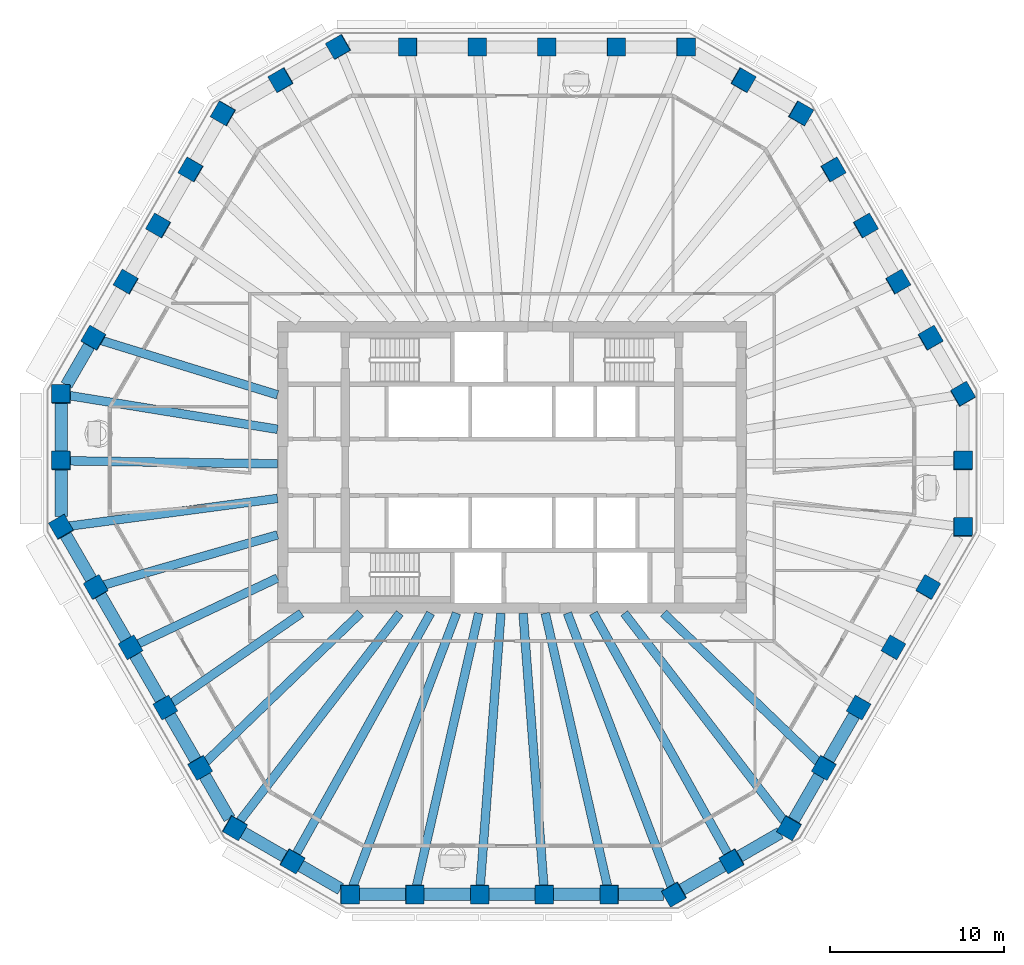
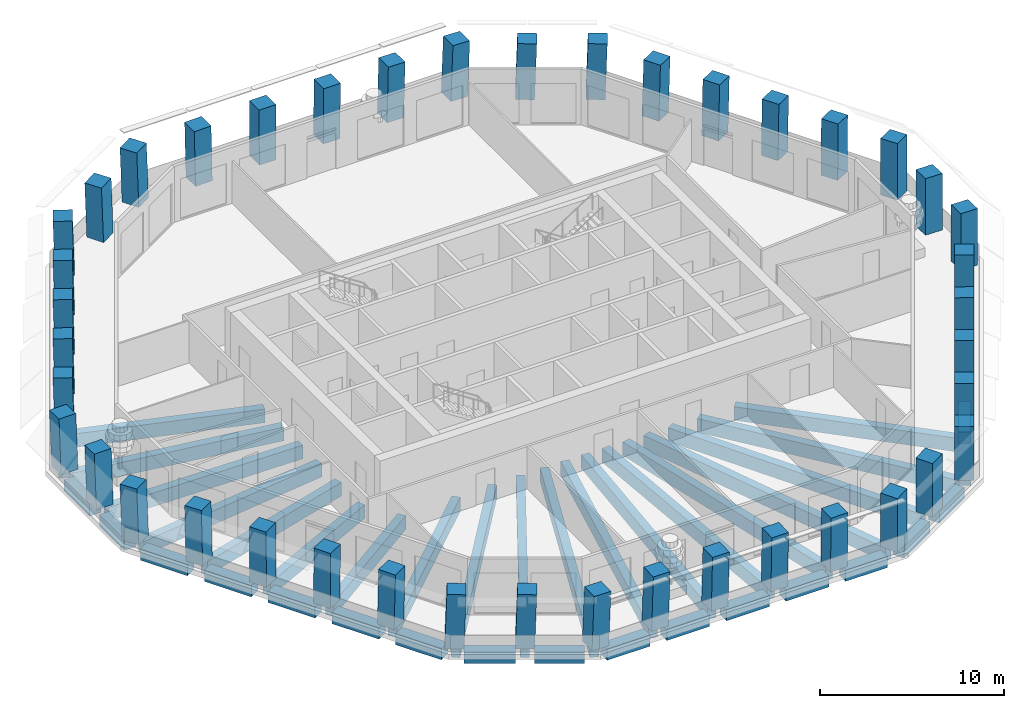
# One storey, part 1 of 12: 42 columns, 38 beams.
"""IFC4 building model written with IfcOpenShell, lengths in metres."""

from ifc_helpers import new_model, si_unit, direction, frame, origin, origin_2d, place, context, subcontext, project, spatial, rectangle, extrude, material, material_profile, profile_set, type_object, element, save


model = new_model("IFC4")

# Units and contexts
model_context = context("Model", 3, precision=1e-05, world=origin(), true_north=direction((0.0, 1.0)))
body_context = subcontext(model_context, "Body", "Model", "MODEL_VIEW")
ifc_project = project(units=[si_unit("LENGTHUNIT", "METRE"), si_unit("AREAUNIT", "SQUARE_METRE"), si_unit("VOLUMEUNIT", "CUBIC_METRE"), si_unit("PLANEANGLEUNIT", "RADIAN"), si_unit("MASSUNIT", "GRAM", prefix="KILO")], contexts=[model_context])

# Site, building, storey
site_placement = place(None, origin())
site = spatial("IfcSite", under=ifc_project, at=site_placement, CompositionType="ELEMENT")
building_placement = place(site_placement, origin())
building = spatial("IfcBuilding", under=site, at=building_placement, Name="Frailejon Research Tower", CompositionType="ELEMENT")
storey_placement = place(building_placement, frame((0.0, 0.0, 223.39990234375)))
storey = spatial("IfcBuildingStorey", under=building, at=storey_placement, Name="L48", CompositionType="ELEMENT", Elevation=223.39990234375)

# Columns
ifc_material_1 = material(Name="Concrete C60/75", Category="concrete")
ifc_material_profile_1 = material_profile(ifc_material_1, rectangle(XDim=1.050048828125, YDim=1.050048828125, at=origin_2d()), Name="Column 1050")
ifc_profile_set_1 = profile_set([ifc_material_profile_1], Name="Concrete C60/75")
column_type = type_object("IfcColumnType", Name="Column 1050", PredefinedType="COLUMN", material=ifc_profile_set_1)
for number, where, z_axis, x_axis, name in (
    (1, (25.9521484375, -3.44970703125, 0.0), (0.018113955825, 0.03141534774, 0.999342263957), (-0.001297337727, 0.999506151202, -0.031396984318), "Column C01"),
    (2, (25.9521484375, 0.377197265625, 0.0), (0.018113993821, 0.031348572332, 0.999344360189), (-0.000374711626, 0.999508494025, -0.031346929091), "Column C02"),
    (3, (25.9521484375, 4.203857421875, 0.0), (0.018113955825, 0.03141534774, 0.999342263957), (-0.501041071009, 0.865233837763, -0.018117702729), "Column C03"),
):
    element("IfcColumn", number, at=place(storey_placement, frame(where, z_axis=z_axis, x_axis=x_axis)), inside=storey, type_object=column_type, Name=name, PredefinedType="COLUMN", context=body_context, shape_type="SweptSolid", body=[
        extrude(rectangle(XDim=1.050048828125, YDim=1.050048828125, at=origin_2d()), origin(), (0.0, 0.0, 1.0), 3.652587890625),
    ])
column_1_placement = place(storey_placement, frame((24.0849609375, 7.437744140625, 0.0), z_axis=(0.021792492936, 0.025134899828, 0.999446508855), x_axis=(-0.499665392548, 0.866150076023, -0.010887667087)))
element("IfcColumn", 4, at=column_1_placement, inside=storey, type_object=column_type, Name="Column C04", PredefinedType="COLUMN", context=body_context, shape_type="SweptSolid", body=[
    extrude(rectangle(XDim=1.050048828125, YDim=1.050048828125, at=origin_2d()), origin(), (0.0, 0.0, 1.0), 3.652099609375),
])
for number, where, z_axis, x_axis, name in (
    (5, (22.218017578125, 10.671630859375, 0.0), (0.025403639223, 0.018852174371, 0.999499500068), (-0.500491739031, 0.865733791755, -0.003608458862), "Column C05"),
    (6, (20.350830078125, 13.905517578125, 0.0), (0.029013644583, 0.012568122538, 0.999500000362), (-0.499848973822, 0.866105020579, 0.003618935909), "Column C06"),
):
    element("IfcColumn", number, at=place(storey_placement, frame(where, z_axis=z_axis, x_axis=x_axis)), inside=storey, type_object=column_type, Name=name, PredefinedType="COLUMN", context=body_context, shape_type="SweptSolid", body=[
        extrude(rectangle(XDim=1.050048828125, YDim=1.050048828125, at=origin_2d()), origin(), (0.0, 0.0, 1.0), 3.65185546875),
    ])
column_2_placement = place(storey_placement, frame((18.48388671875, 17.139404296875, 0.0), z_axis=(0.032621940247, 0.006283734392, 0.999448009502), x_axis=(-0.500036322924, 0.865936123493, 0.010876846363)))
element("IfcColumn", 7, at=column_2_placement, inside=storey, type_object=column_type, Name="Column C07", PredefinedType="COLUMN", context=body_context, shape_type="SweptSolid", body=[
    extrude(rectangle(XDim=1.050048828125, YDim=1.050048828125, at=origin_2d()), origin(), (0.0, 0.0, 1.0), 3.652099609375),
])
for number, where, z_axis, x_axis, name in (
    (8, (16.61669921875, 20.373291015625, 0.0), (0.036227958345, 0.0, 0.999343552055), (-0.865314717209, 0.500246354177, 0.031369177763), "Column C08"),
    (9, (13.302734375, 22.28662109375, 0.0), (0.036227958345, 0.0, 0.999343552055), (-0.865314717209, 0.500246354177, 0.031369177763), "Column C09"),
    (10, (9.988525390625, 24.199951171875, 0.0), (0.036294711627, 0.0, 0.999341129899), (-0.999341129899, 0.0, 0.036294711627), "Column C10"),
):
    element("IfcColumn", number, at=place(storey_placement, frame(where, z_axis=z_axis, x_axis=x_axis)), inside=storey, type_object=column_type, Name=name, PredefinedType="COLUMN", context=body_context, shape_type="SweptSolid", body=[
        extrude(rectangle(XDim=1.050048828125, YDim=1.050048828125, at=origin_2d()), origin(), (0.0, 0.0, 1.0), 3.652587890625),
    ])
column_3_placement = place(storey_placement, frame((5.9931640625, 24.199951171875, 0.0), z_axis=(0.021799380047, 0.0, 0.99976236528), x_axis=(-0.99976236528, 0.0, 0.021799380047)))
element("IfcColumn", 11, at=column_3_placement, inside=storey, type_object=column_type, Name="Column C11", PredefinedType="COLUMN", context=body_context, shape_type="SweptSolid", body=[
    extrude(rectangle(XDim=1.050048828125, YDim=1.050048828125, at=origin_2d()), origin(), (0.0, 0.0, 1.0), 3.651123046875),
])
for number, where, z_axis, x_axis, name in (
    (12, (1.997802734375, 24.199951171875, 0.0), (0.007290288501, 0.0, 0.999973425494), (-0.999973425494, 0.0, 0.007290288501), "Column C12"),
    (13, (-1.997802734375, 24.199951171875, 0.0), (-0.007290288501, 0.0, 0.999973425494), (-0.999973425494, 0.0, -0.007290288501), "Column C13"),
):
    element("IfcColumn", number, at=place(storey_placement, frame(where, z_axis=z_axis, x_axis=x_axis)), inside=storey, type_object=column_type, Name=name, PredefinedType="COLUMN", context=body_context, shape_type="SweptSolid", body=[
        extrude(rectangle(XDim=1.050048828125, YDim=1.050048828125, at=origin_2d()), origin(), (0.0, 0.0, 1.0), 3.650146484375),
    ])
column_4_placement = place(storey_placement, frame((-5.9931640625, 24.199951171875, 0.0), z_axis=(-0.021799380047, 0.0, 0.99976236528), x_axis=(-0.99976236528, 0.0, -0.021799380047)))
element("IfcColumn", 14, at=column_4_placement, inside=storey, type_object=column_type, Name="Column C14", PredefinedType="COLUMN", context=body_context, shape_type="SweptSolid", body=[
    extrude(rectangle(XDim=1.050048828125, YDim=1.050048828125, at=origin_2d()), origin(), (0.0, 0.0, 1.0), 3.651123046875),
])
for number, where, z_axis, x_axis, name in (
    (15, (-9.988525390625, 24.199951171875, 0.0), (-0.036294711627, 0.0, 0.999341129899), (-0.865312619905, -0.500246354177, -0.031426978303), "Column C15"),
    (16, (-13.302734375, 22.28662109375, 0.0), (-0.036227958345, 0.0, 0.999343552055), (-0.865314717209, -0.500246354177, -0.031369177763), "Column C16"),
    (17, (-16.61669921875, 20.373291015625, 0.0), (-0.036227958345, 0.0, 0.999343552055), (-0.499425543129, -0.866167613071, -0.018105052798), "Column C17"),
):
    element("IfcColumn", number, at=place(storey_placement, frame(where, z_axis=z_axis, x_axis=x_axis)), inside=storey, type_object=column_type, Name=name, PredefinedType="COLUMN", context=body_context, shape_type="SweptSolid", body=[
        extrude(rectangle(XDim=1.050048828125, YDim=1.050048828125, at=origin_2d()), origin(), (0.0, 0.0, 1.0), 3.652587890625),
    ])
column_5_placement = place(storey_placement, frame((-18.48388671875, 17.139404296875, 0.0), z_axis=(-0.032621940247, 0.006283734392, 0.999448009502), x_axis=(-0.500036322924, -0.865936123493, -0.010876846363)))
element("IfcColumn", 18, at=column_5_placement, inside=storey, type_object=column_type, Name="Column C18", PredefinedType="COLUMN", context=body_context, shape_type="SweptSolid", body=[
    extrude(rectangle(XDim=1.050048828125, YDim=1.050048828125, at=origin_2d()), origin(), (0.0, 0.0, 1.0), 3.652099609375),
])
for number, where, z_axis, x_axis, name in (
    (19, (-20.350830078125, 13.905517578125, 0.0), (-0.029013644583, 0.012568122538, 0.999500000362), (-0.499848973822, -0.866105020579, -0.003618935909), "Column C19"),
    (20, (-22.218017578125, 10.671630859375, 0.0), (-0.025403639223, 0.018852174371, 0.999499500068), (-0.500491739031, -0.865733791755, 0.003608458862), "Column C20"),
):
    element("IfcColumn", number, at=place(storey_placement, frame(where, z_axis=z_axis, x_axis=x_axis)), inside=storey, type_object=column_type, Name=name, PredefinedType="COLUMN", context=body_context, shape_type="SweptSolid", body=[
        extrude(rectangle(XDim=1.050048828125, YDim=1.050048828125, at=origin_2d()), origin(), (0.0, 0.0, 1.0), 3.65185546875),
    ])
column_6_placement = place(storey_placement, frame((-24.0849609375, 7.437744140625, 0.0), z_axis=(-0.021792492936, 0.025134899828, 0.999446508855), x_axis=(-0.499665392548, -0.866150076023, 0.010887667087)))
element("IfcColumn", 21, at=column_6_placement, inside=storey, type_object=column_type, Name="Column C21", PredefinedType="COLUMN", context=body_context, shape_type="SweptSolid", body=[
    extrude(rectangle(XDim=1.050048828125, YDim=1.050048828125, at=origin_2d()), origin(), (0.0, 0.0, 1.0), 3.652099609375),
])
for number, where, z_axis, x_axis, name in (
    (22, (-25.9521484375, 4.203857421875, 0.0), (-0.018113955825, 0.03141534774, 0.999342263957), (-0.001297337727, -0.999506151202, 0.031396984318), "Column C22"),
    (23, (-25.9521484375, 0.377197265625, 0.0), (-0.018113993821, 0.031348572332, 0.999344360189), (-0.000374711626, -0.999508494025, 0.031346929091), "Column C23"),
    (24, (-25.9521484375, -3.44970703125, 0.0), (-0.018113955825, 0.03141534774, 0.999342263957), (0.499040514287, -0.865819568771, 0.036263472456), "Column C24"),
):
    element("IfcColumn", number, at=place(storey_placement, frame(where, z_axis=z_axis, x_axis=x_axis)), inside=storey, type_object=column_type, Name=name, PredefinedType="COLUMN", context=body_context, shape_type="SweptSolid", body=[
        extrude(rectangle(XDim=1.050048828125, YDim=1.050048828125, at=origin_2d()), origin(), (0.0, 0.0, 1.0), 3.652587890625),
    ])
column_7_placement = place(storey_placement, frame((-23.954345703125, -6.909912109375, 0.0), z_axis=(-0.010899680715, 0.018923985535, 0.999761511427), x_axis=(0.499758931252, -0.865889190801, 0.021838495538)))
element("IfcColumn", 25, at=column_7_placement, inside=storey, type_object=column_type, Name="Column C25", PredefinedType="COLUMN", context=body_context, shape_type="SweptSolid", body=[
    extrude(rectangle(XDim=1.050048828125, YDim=1.050048828125, at=origin_2d()), origin(), (0.0, 0.0, 1.0), 3.651123046875),
])
for number, where, z_axis, x_axis, name in (
    (26, (-21.956787109375, -10.369873046875, 0.0), (-0.003611703602, 0.006287039604, 0.99997371402), (0.497890396548, -0.867209652713, 0.007250604559), "Column C26"),
    (27, (-19.958984375, -13.830078125, 0.0), (0.003611703602, -0.006287039604, 0.99997371402), (0.495302948825, -0.868690058747, -0.007250566836), "Column C27"),
):
    element("IfcColumn", number, at=place(storey_placement, frame(where, z_axis=z_axis, x_axis=x_axis)), inside=storey, type_object=column_type, Name=name, PredefinedType="COLUMN", context=body_context, shape_type="SweptSolid", body=[
        extrude(rectangle(XDim=1.050048828125, YDim=1.050048828125, at=origin_2d()), origin(), (0.0, 0.0, 1.0), 3.650146484375),
    ])
column_8_placement = place(storey_placement, frame((-17.961181640625, -17.290283203125, 0.0), z_axis=(0.010899694483, -0.018857140148, 0.999762774325), x_axis=(0.501085789903, -0.865123480471, -0.021780603655)))
element("IfcColumn", 28, at=column_8_placement, inside=storey, type_object=column_type, Name="Column C28", PredefinedType="COLUMN", context=body_context, shape_type="SweptSolid", body=[
    extrude(rectangle(XDim=1.050048828125, YDim=1.050048828125, at=origin_2d()), origin(), (0.0, 0.0, 1.0), 3.651123046875),
])
for number, where, z_axis, x_axis, name in (
    (29, (-15.96337890625, -20.75048828125, 0.0), (0.018113993821, -0.031348572332, 0.999344360189), (0.865981255469, -0.499092645249, -0.031352777129), "Column C29"),
    (30, (-12.6494140625, -22.663818359375, 0.0), (0.018113955825, -0.03141534774, 0.999342263957), (0.86551973078, -0.499889444942, -0.031402841694), "Column C30"),
    (31, (-9.33544921875, -24.5771484375, 0.0), (0.018113955825, -0.03141534774, 0.999342263957), (0.999835920175, 0.000437543569, -0.018109149147), "Column C31"),
):
    element("IfcColumn", number, at=place(storey_placement, frame(where, z_axis=z_axis, x_axis=x_axis)), inside=storey, type_object=column_type, Name=name, PredefinedType="COLUMN", context=body_context, shape_type="SweptSolid", body=[
        extrude(rectangle(XDim=1.050048828125, YDim=1.050048828125, at=origin_2d()), origin(), (0.0, 0.0, 1.0), 3.652587890625),
    ])
column_9_placement = place(storey_placement, frame((-5.601318359375, -24.5771484375, 0.0), z_axis=(0.010896250923, -0.031418637632, 0.999446917512), x_axis=(0.999940633121, 0.000298237576, -0.010892258146)))
element("IfcColumn", 32, at=column_9_placement, inside=storey, type_object=column_type, Name="Column C32", PredefinedType="COLUMN", context=body_context, shape_type="SweptSolid", body=[
    extrude(rectangle(XDim=1.050048828125, YDim=1.050048828125, at=origin_2d()), origin(), (0.0, 0.0, 1.0), 3.652099609375),
])
for number, where, z_axis, x_axis, name in (
    (33, (-1.8671875, -24.5771484375, 0.0), (0.003609991708, -0.031420298201, 0.999499741281), (0.999993380446, -0.000341349484, -0.003622505304), "Column C33"),
    (34, (1.8671875, -24.5771484375, 0.0), (-0.003609991708, -0.031420298201, 0.999499741281), (0.999993380446, 0.000341349484, 0.003622505304), "Column C34"),
):
    element("IfcColumn", number, at=place(storey_placement, frame(where, z_axis=z_axis, x_axis=x_axis)), inside=storey, type_object=column_type, Name=name, PredefinedType="COLUMN", context=body_context, shape_type="SweptSolid", body=[
        extrude(rectangle(XDim=1.050048828125, YDim=1.050048828125, at=origin_2d()), origin(), (0.0, 0.0, 1.0), 3.65185546875),
    ])
column_10_placement = place(storey_placement, frame((5.601318359375, -24.5771484375, 0.0), z_axis=(-0.010896250923, -0.031418637632, 0.999446917512), x_axis=(0.999940633121, -0.000298237576, 0.010892258146)))
element("IfcColumn", 35, at=column_10_placement, inside=storey, type_object=column_type, Name="Column C35", PredefinedType="COLUMN", context=body_context, shape_type="SweptSolid", body=[
    extrude(rectangle(XDim=1.050048828125, YDim=1.050048828125, at=origin_2d()), origin(), (0.0, 0.0, 1.0), 3.652099609375),
])
for number, where, z_axis, x_axis, name in (
    (36, (9.33544921875, -24.5771484375, 0.0), (-0.018113955825, -0.03141534774, 0.999342263957), (0.865818354489, 0.499372725209, 0.031392010897), "Column C36"),
    (37, (12.6494140625, -22.663818359375, 0.0), (-0.018113955825, -0.03141534774, 0.999342263957), (0.86551973078, 0.499889444942, 0.031402841694), "Column C37"),
    (38, (15.96337890625, -20.75048828125, 0.0), (-0.018113993821, -0.031348572332, 0.999344360189), (0.499839786235, 0.86536081398, 0.03620565874), "Column C38"),
):
    element("IfcColumn", number, at=place(storey_placement, frame(where, z_axis=z_axis, x_axis=x_axis)), inside=storey, type_object=column_type, Name=name, PredefinedType="COLUMN", context=body_context, shape_type="SweptSolid", body=[
        extrude(rectangle(XDim=1.050048828125, YDim=1.050048828125, at=origin_2d()), origin(), (0.0, 0.0, 1.0), 3.652587890625),
    ])
column_11_placement = place(storey_placement, frame((17.961181640625, -17.290283203125, 0.0), z_axis=(-0.010899694483, -0.018857140148, 0.999762774325), x_axis=(0.501085789903, 0.865123480471, 0.021780603655)))
element("IfcColumn", 39, at=column_11_placement, inside=storey, type_object=column_type, Name="Column C39", PredefinedType="COLUMN", context=body_context, shape_type="SweptSolid", body=[
    extrude(rectangle(XDim=1.050048828125, YDim=1.050048828125, at=origin_2d()), origin(), (0.0, 0.0, 1.0), 3.651123046875),
])
for number, where, z_axis, x_axis, name in (
    (40, (19.958984375, -13.830078125, 0.0), (-0.003611703602, -0.006287039604, 0.99997371402), (0.495302948825, 0.868690058747, 0.007250566836), "Column C40"),
    (41, (21.956787109375, -10.369873046875, 0.0), (0.003611703602, 0.006287039604, 0.99997371402), (0.497890396548, 0.867209652713, -0.007250604559), "Column C41"),
):
    element("IfcColumn", number, at=place(storey_placement, frame(where, z_axis=z_axis, x_axis=x_axis)), inside=storey, type_object=column_type, Name=name, PredefinedType="COLUMN", context=body_context, shape_type="SweptSolid", body=[
        extrude(rectangle(XDim=1.050048828125, YDim=1.050048828125, at=origin_2d()), origin(), (0.0, 0.0, 1.0), 3.650146484375),
    ])
column_12_placement = place(storey_placement, frame((23.954345703125, -6.909912109375, 0.0), z_axis=(0.010899680715, 0.018923985535, 0.999761511427), x_axis=(0.499758931252, 0.865889190801, -0.021838495538)))
element("IfcColumn", 42, at=column_12_placement, inside=storey, type_object=column_type, Name="Column C42", PredefinedType="COLUMN", context=body_context, shape_type="SweptSolid", body=[
    extrude(rectangle(XDim=1.050048828125, YDim=1.050048828125, at=origin_2d()), origin(), (0.0, 0.0, 1.0), 3.651123046875),
])

# Beams
ifc_material_2 = material(Name="Concrete C60/75", Category="concrete")
ifc_material_profile_2 = material_profile(ifc_material_2, rectangle(XDim=0.5, YDim=0.89990234375, at=origin_2d()), Name="Girder 500x900")
ifc_profile_set_2 = profile_set([ifc_material_profile_2], Name="Concrete C60/75")
beam_type_1 = type_object("IfcBeamType", Name="Girder 500x900", PredefinedType="BEAM", material=ifc_profile_set_2)
beam_1_placement = place(storey_placement, frame((-23.7138671875, 7.322998046875, -0.75), z_axis=(0.955480751245, -0.295053442617, 0.0), x_axis=(0.295053442617, 0.955480751245, 0.0)))
element("IfcBeam", 43, at=beam_1_placement, inside=storey, type_object=beam_type_1, Name="Girder 500x900", PredefinedType="BEAM", context=body_context, shape_type="SweptSolid", body=[
    extrude(rectangle(XDim=0.5, YDim=0.89990234375, at=origin_2d()), origin(), (0.0, 0.0, 1.0), 10.689697265625),
])
beam_2_placement = place(storey_placement, frame((-25.5751953125, 4.142578125, -0.75), z_axis=(0.987135546856, -0.159885622035, 0.0), x_axis=(0.159885622035, 0.987135546856, 0.0)))
element("IfcBeam", 44, at=beam_2_placement, inside=storey, type_object=beam_type_1, Name="Girder 500x900", PredefinedType="BEAM", context=body_context, shape_type="SweptSolid", body=[
    extrude(rectangle(XDim=0.5, YDim=0.89990234375, at=origin_2d()), origin(), (0.0, 0.0, 1.0), 12.232666015625),
])
beam_3_placement = place(storey_placement, frame((-25.5771484375, 0.37158203125, -0.75), z_axis=(0.999894682249, -0.014512904946, 0.0), x_axis=(0.014512904946, 0.999894682249, 0.0)))
element("IfcBeam", 45, at=beam_3_placement, inside=storey, type_object=beam_type_1, Name="Girder 500x900", PredefinedType="BEAM", context=body_context, shape_type="SweptSolid", body=[
    extrude(rectangle(XDim=0.5, YDim=0.89990234375, at=origin_2d()), origin(), (0.0, 0.0, 1.0), 12.078369140625),
])
beam_4_placement = place(storey_placement, frame((-25.537841796875, -3.39453125, -0.75), z_axis=(0.991281197115, 0.131763379761, 0.0), x_axis=(-0.131763379761, 0.991281197115, 0.0)))
element("IfcBeam", 46, at=beam_4_placement, inside=storey, type_object=beam_type_1, Name="Girder 500x900", PredefinedType="BEAM", context=body_context, shape_type="SweptSolid", body=[
    extrude(rectangle(XDim=0.5, YDim=0.89990234375, at=origin_2d()), origin(), (0.0, 0.0, 1.0), 12.143798828125),
])
beam_5_placement = place(storey_placement, frame((-23.578857421875, -6.801513671875, -0.75), z_axis=(0.960827047664, 0.277148668546, 0.0), x_axis=(-0.277148668546, 0.960827047664, 0.0)))
element("IfcBeam", 47, at=beam_5_placement, inside=storey, type_object=beam_type_1, Name="Girder 500x900", PredefinedType="BEAM", context=body_context, shape_type="SweptSolid", body=[
    extrude(rectangle(XDim=0.5, YDim=0.89990234375, at=origin_2d()), origin(), (0.0, 0.0, 1.0), 10.48974609375),
])
beam_6_placement = place(storey_placement, frame((-21.615966796875, -10.208984375, -0.75), z_axis=(0.904228515604, 0.427048933459, 0.0), x_axis=(-0.427048933459, 0.904228515604, 0.0)))
element("IfcBeam", 48, at=beam_6_placement, inside=storey, type_object=beam_type_1, Name="Girder 500x900", PredefinedType="BEAM", context=body_context, shape_type="SweptSolid", body=[
    extrude(rectangle(XDim=0.5, YDim=0.89990234375, at=origin_2d()), origin(), (0.0, 0.0, 1.0), 8.9755859375),
])
beam_7_placement = place(storey_placement, frame((-19.6494140625, -13.615478515625, -0.75), z_axis=(0.82195313157, 0.569555132979, 0.0), x_axis=(-0.569555132979, 0.82195313157, 0.0)))
element("IfcBeam", 49, at=beam_7_placement, inside=storey, type_object=beam_type_1, Name="Girder 500x900", PredefinedType="BEAM", context=body_context, shape_type="SweptSolid", body=[
    extrude(rectangle(XDim=0.5, YDim=0.89990234375, at=origin_2d()), origin(), (0.0, 0.0, 1.0), 9.1572265625),
])
beam_8_placement = place(storey_placement, frame((-17.6796875, -17.01904296875, -0.75), z_axis=(0.720435077331, 0.693522385616, 0.0), x_axis=(-0.693522385616, 0.720435077331, 0.0)))
element("IfcBeam", 50, at=beam_8_placement, inside=storey, type_object=beam_type_1, Name="Girder 500x900", PredefinedType="BEAM", context=body_context, shape_type="SweptSolid", body=[
    extrude(rectangle(XDim=0.5, YDim=0.89990234375, at=origin_2d()), origin(), (0.0, 0.0, 1.0), 12.427978515625),
])
beam_9_placement = place(storey_placement, frame((-15.73193359375, -20.449462890625, -0.75), z_axis=(0.609747236406, 0.792595929648, 0.0), x_axis=(-0.792595929648, 0.609747236406, 0.0)))
element("IfcBeam", 51, at=beam_9_placement, inside=storey, type_object=beam_type_1, Name="Girder 500x900", PredefinedType="BEAM", context=body_context, shape_type="SweptSolid", body=[
    extrude(rectangle(XDim=0.5, YDim=0.89990234375, at=origin_2d()), origin(), (0.0, 0.0, 1.0), 15.20263671875),
])
beam_10_placement = place(storey_placement, frame((-12.466796875, -22.336181640625, -0.75), z_axis=(0.487374567806, 0.873193008822, 0.0), x_axis=(-0.873193008822, 0.487374567806, 0.0)))
element("IfcBeam", 52, at=beam_10_placement, inside=storey, type_object=beam_type_1, Name="Girder 500x900", PredefinedType="BEAM", context=body_context, shape_type="SweptSolid", body=[
    extrude(rectangle(XDim=0.5, YDim=0.89990234375, at=origin_2d()), origin(), (0.0, 0.0, 1.0), 15.960205078125),
])
beam_11_placement = place(storey_placement, frame((-9.189208984375, -24.1923828125, -0.75), z_axis=(0.355082886109, 0.934834821769, 0.0), x_axis=(-0.934834821769, 0.355082886109, 0.0)))
element("IfcBeam", 53, at=beam_11_placement, inside=storey, type_object=beam_type_1, Name="Girder 500x900", PredefinedType="BEAM", context=body_context, shape_type="SweptSolid", body=[
    extrude(rectangle(XDim=0.5, YDim=0.89990234375, at=origin_2d()), origin(), (0.0, 0.0, 1.0), 16.893310546875),
])
beam_12_placement = place(storey_placement, frame((-5.514892578125, -24.1982421875, -0.75), z_axis=(0.222211081591, 0.974998582162, 0.0), x_axis=(-0.974998582162, 0.222211081591, 0.0)))
element("IfcBeam", 54, at=beam_12_placement, inside=storey, type_object=beam_type_1, Name="Girder 500x900", PredefinedType="BEAM", context=body_context, shape_type="SweptSolid", body=[
    extrude(rectangle(XDim=0.5, YDim=0.89990234375, at=origin_2d()), origin(), (0.0, 0.0, 1.0), 16.203369140625),
])
for number, where, z_axis, x_axis, name in (
    (55, (-1.838623046875, -24.20166015625, -0.75), (0.075750455905, 0.997126806595, 0.0), (-0.997126806595, 0.075750455905, 0.0), "Girder 500x900"),
    (56, (1.838623046875, -24.20166015625, -0.75), (-0.075750455905, 0.997126806595, 0.0), (-0.997126806595, -0.075750455905, 0.0), "Girder 500x900"),
):
    element("IfcBeam", number, at=place(storey_placement, frame(where, z_axis=z_axis, x_axis=x_axis)), inside=storey, type_object=beam_type_1, Name=name, PredefinedType="BEAM", context=body_context, shape_type="SweptSolid", body=[
        extrude(rectangle(XDim=0.5, YDim=0.89990234375, at=origin_2d()), origin(), (0.0, 0.0, 1.0), 15.847412109375),
    ])
beam_13_placement = place(storey_placement, frame((5.514892578125, -24.1982421875, -0.75), z_axis=(-0.222211081591, 0.974998582162, 0.0), x_axis=(-0.974998582162, -0.222211081591, 0.0)))
element("IfcBeam", 57, at=beam_13_placement, inside=storey, type_object=beam_type_1, Name="Girder 500x900", PredefinedType="BEAM", context=body_context, shape_type="SweptSolid", body=[
    extrude(rectangle(XDim=0.5, YDim=0.89990234375, at=origin_2d()), origin(), (0.0, 0.0, 1.0), 16.203369140625),
])
beam_14_placement = place(storey_placement, frame((9.19970703125, -24.22021484375, -0.75), z_axis=(-0.355079088993, 0.934836264038, 0.0), x_axis=(-0.934836264038, -0.355079088993, 0.0)))
element("IfcBeam", 58, at=beam_14_placement, inside=storey, type_object=beam_type_1, Name="Girder 500x900", PredefinedType="BEAM", context=body_context, shape_type="SweptSolid", body=[
    extrude(rectangle(XDim=0.5, YDim=0.89990234375, at=origin_2d()), origin(), (0.0, 0.0, 1.0), 16.923095703125),
])
beam_15_placement = place(storey_placement, frame((12.466796875, -22.336181640625, -0.75), z_axis=(-0.487374567806, 0.873193008822, 0.0), x_axis=(-0.873193008822, -0.487374567806, 0.0)))
element("IfcBeam", 59, at=beam_15_placement, inside=storey, type_object=beam_type_1, Name="Girder 500x900", PredefinedType="BEAM", context=body_context, shape_type="SweptSolid", body=[
    extrude(rectangle(XDim=0.5, YDim=0.89990234375, at=origin_2d()), origin(), (0.0, 0.0, 1.0), 15.960205078125),
])
beam_16_placement = place(storey_placement, frame((15.70849609375, -20.419189453125, -0.75), z_axis=(-0.609741104306, 0.79260064706, 0.0), x_axis=(-0.79260064706, -0.609741104306, 0.0)))
element("IfcBeam", 60, at=beam_16_placement, inside=storey, type_object=beam_type_1, Name="Girder 500x900", PredefinedType="BEAM", context=body_context, shape_type="SweptSolid", body=[
    extrude(rectangle(XDim=0.5, YDim=0.89990234375, at=origin_2d()), origin(), (0.0, 0.0, 1.0), 15.164306640625),
])
beam_17_placement = place(storey_placement, frame((17.6796875, -17.01904296875, -0.75), z_axis=(-0.720435077331, 0.693522385616, 0.0), x_axis=(-0.693522385616, -0.720435077331, 0.0)))
element("IfcBeam", 61, at=beam_17_placement, inside=storey, type_object=beam_type_1, Name="Girder 500x900", PredefinedType="BEAM", context=body_context, shape_type="SweptSolid", body=[
    extrude(rectangle(XDim=0.5, YDim=0.89990234375, at=origin_2d()), origin(), (0.0, 0.0, 1.0), 12.427978515625),
])
ifc_material_3 = material(Name="Concrete C60/75", Category="concrete")
ifc_material_profile_3 = material_profile(ifc_material_3, rectangle(XDim=0.699951171875, YDim=0.75, at=origin_2d()), Name="Spandrel 700x750")
ifc_profile_set_3 = profile_set([ifc_material_profile_3], Name="Concrete C60/75")
beam_type_2 = type_object("IfcBeamType", Name="Spandrel 700x750", PredefinedType="BEAM", material=ifc_profile_set_3)
beam_18_placement = place(storey_placement, frame((-24.347412109375, 6.98291015625, -0.724853515625), z_axis=(-0.500022859943, -0.866012205188, 0.0), x_axis=(0.866012205188, -0.500022859943, 0.0)))
element("IfcBeam", 62, at=beam_18_placement, inside=storey, type_object=beam_type_2, Name="Spandrel 700x750", PredefinedType="BEAM", context=body_context, shape_type="SweptSolid", body=[
    extrude(rectangle(XDim=0.699951171875, YDim=0.75, at=origin_2d()), origin(), (0.0, 0.0, 1.0), 2.60302734375),
])
beam_19_placement = place(storey_placement, frame((-25.9521484375, 3.6787109375, -0.724853515625), z_axis=(0.0, -1.0, 0.0), x_axis=(1.0, 0.0, 0.0)))
element("IfcBeam", 63, at=beam_19_placement, inside=storey, type_object=beam_type_2, Name="Spandrel 700x750", PredefinedType="BEAM", context=body_context, shape_type="SweptSolid", body=[
    extrude(rectangle(XDim=0.699951171875, YDim=0.75, at=origin_2d()), origin(), (0.0, 0.0, 1.0), 2.776611328125),
])
beam_20_placement = place(storey_placement, frame((-25.9521484375, -0.14794921875, -0.724853515625), z_axis=(0.0, -1.0, 0.0), x_axis=(1.0, 0.0, 0.0)))
element("IfcBeam", 64, at=beam_20_placement, inside=storey, type_object=beam_type_2, Name="Spandrel 700x750", PredefinedType="BEAM", context=body_context, shape_type="SweptSolid", body=[
    extrude(rectangle(XDim=0.699951171875, YDim=0.75, at=origin_2d()), origin(), (0.0, 0.0, 1.0), 2.695556640625),
])
beam_21_placement = place(storey_placement, frame((-25.689697265625, -3.904296875, -0.724853515625), z_axis=(0.50005249014, -0.865995096467, 0.0), x_axis=(0.865995096467, 0.50005249014, 0.0)))
element("IfcBeam", 65, at=beam_21_placement, inside=storey, type_object=beam_type_2, Name="Spandrel 700x750", PredefinedType="BEAM", context=body_context, shape_type="SweptSolid", body=[
    extrude(rectangle(XDim=0.699951171875, YDim=0.75, at=origin_2d()), origin(), (0.0, 0.0, 1.0), 2.945556640625),
])
for number, where, z_axis, x_axis, name in (
    (66, (-23.69189453125, -7.364501953125, -0.724853515625), (0.499990325971, -0.866030989016, 0.0), (0.866030989016, 0.499990325971, 0.0), "Spandrel 700x750"),
    (67, (-21.694091796875, -10.82470703125, -0.724853515625), (0.499990325971, -0.866030989016, 0.0), (0.866030989016, 0.499990325971, 0.0), "Spandrel 700x750"),
    (68, (-19.696533203125, -14.284912109375, -0.724853515625), (0.500088385579, -0.865974368332, 0.0), (0.865974368332, 0.500088385579, 0.0), "Spandrel 700x750"),
):
    element("IfcBeam", number, at=place(storey_placement, frame(where, z_axis=z_axis, x_axis=x_axis)), inside=storey, type_object=beam_type_2, Name=name, PredefinedType="BEAM", context=body_context, shape_type="SweptSolid", body=[
        extrude(rectangle(XDim=0.699951171875, YDim=0.75, at=origin_2d()), origin(), (0.0, 0.0, 1.0), 2.9453125),
    ])
beam_22_placement = place(storey_placement, frame((-17.69873046875, -17.744873046875, -0.724853515625), z_axis=(0.500007752297, -0.866020927947, 0.0), x_axis=(0.866020927947, 0.500007752297, 0.0)))
element("IfcBeam", 69, at=beam_22_placement, inside=storey, type_object=beam_type_2, Name="Spandrel 700x750", PredefinedType="BEAM", context=body_context, shape_type="SweptSolid", body=[
    extrude(rectangle(XDim=0.699951171875, YDim=0.75, at=origin_2d()), origin(), (0.0, 0.0, 1.0), 2.8642578125),
])
beam_23_placement = place(storey_placement, frame((-15.5087890625, -21.012939453125, -0.724853515625), z_axis=(0.865999619105, -0.500044657716, 0.0), x_axis=(0.500044657716, 0.865999619105, 0.0)))
element("IfcBeam", 70, at=beam_23_placement, inside=storey, type_object=beam_type_2, Name="Spandrel 700x750", PredefinedType="BEAM", context=body_context, shape_type="SweptSolid", body=[
    extrude(rectangle(XDim=0.699951171875, YDim=0.75, at=origin_2d()), origin(), (0.0, 0.0, 1.0), 2.776611328125),
])
beam_24_placement = place(storey_placement, frame((-12.19482421875, -22.92626953125, -0.724853515625), z_axis=(0.866049846835, -0.499957661005, 0.0), x_axis=(0.499957661005, 0.866049846835, 0.0)))
element("IfcBeam", 71, at=beam_24_placement, inside=storey, type_object=beam_type_2, Name="Spandrel 700x750", PredefinedType="BEAM", context=body_context, shape_type="SweptSolid", body=[
    extrude(rectangle(XDim=0.699951171875, YDim=0.75, at=origin_2d()), origin(), (0.0, 0.0, 1.0), 2.695556640625),
])
beam_25_placement = place(storey_placement, frame((-8.810302734375, -24.5771484375, -0.724853515625), z_axis=(1.0, 0.0, 0.0), x_axis=(0.0, 1.0, 0.0)))
element("IfcBeam", 72, at=beam_25_placement, inside=storey, type_object=beam_type_2, Name="Spandrel 700x750", PredefinedType="BEAM", context=body_context, shape_type="SweptSolid", body=[
    extrude(rectangle(XDim=0.699951171875, YDim=0.75, at=origin_2d()), origin(), (0.0, 0.0, 1.0), 2.68408203125),
])
beam_26_placement = place(storey_placement, frame((-5.076416015625, -24.5771484375, -0.724853515625), z_axis=(1.0, 0.0, 0.0), x_axis=(0.0, 1.0, 0.0)))
element("IfcBeam", 73, at=beam_26_placement, inside=storey, type_object=beam_type_2, Name="Spandrel 700x750", PredefinedType="BEAM", context=body_context, shape_type="SweptSolid", body=[
    extrude(rectangle(XDim=0.699951171875, YDim=0.75, at=origin_2d()), origin(), (0.0, 0.0, 1.0), 2.684326171875),
])
beam_27_placement = place(storey_placement, frame((-1.342041015625, -24.5771484375, -0.724853515625), z_axis=(1.0, 0.0, 0.0), x_axis=(0.0, 1.0, 0.0)))
element("IfcBeam", 74, at=beam_27_placement, inside=storey, type_object=beam_type_2, Name="Spandrel 700x750", PredefinedType="BEAM", context=body_context, shape_type="SweptSolid", body=[
    extrude(rectangle(XDim=0.699951171875, YDim=0.75, at=origin_2d()), origin(), (0.0, 0.0, 1.0), 2.68408203125),
])
beam_28_placement = place(storey_placement, frame((2.39208984375, -24.5771484375, -0.724853515625), z_axis=(1.0, 0.0, 0.0), x_axis=(0.0, 1.0, 0.0)))
element("IfcBeam", 75, at=beam_28_placement, inside=storey, type_object=beam_type_2, Name="Spandrel 700x750", PredefinedType="BEAM", context=body_context, shape_type="SweptSolid", body=[
    extrude(rectangle(XDim=0.699951171875, YDim=0.75, at=origin_2d()), origin(), (0.0, 0.0, 1.0), 2.684326171875),
])
beam_29_placement = place(storey_placement, frame((6.126220703125, -24.5771484375, -0.724853515625), z_axis=(1.0, 0.0, 0.0), x_axis=(0.0, 1.0, 0.0)))
element("IfcBeam", 76, at=beam_29_placement, inside=storey, type_object=beam_type_2, Name="Spandrel 700x750", PredefinedType="BEAM", context=body_context, shape_type="SweptSolid", body=[
    extrude(rectangle(XDim=0.699951171875, YDim=0.75, at=origin_2d()), origin(), (0.0, 0.0, 1.0), 2.60302734375),
])
beam_30_placement = place(storey_placement, frame((9.7900390625, -24.314697265625, -0.724853515625), z_axis=(0.866021602438, 0.500006584067, 0.0), x_axis=(-0.500006584067, 0.866021602438, 0.0)))
element("IfcBeam", 77, at=beam_30_placement, inside=storey, type_object=beam_type_2, Name="Spandrel 700x750", PredefinedType="BEAM", context=body_context, shape_type="SweptSolid", body=[
    extrude(rectangle(XDim=0.699951171875, YDim=0.75, at=origin_2d()), origin(), (0.0, 0.0, 1.0), 2.77685546875),
])
beam_31_placement = place(storey_placement, frame((13.104248046875, -22.4013671875, -0.724853515625), z_axis=(0.86598798235, 0.500064810224, 0.0), x_axis=(-0.500064810224, 0.86598798235, 0.0)))
element("IfcBeam", 78, at=beam_31_placement, inside=storey, type_object=beam_type_2, Name="Spandrel 700x750", PredefinedType="BEAM", context=body_context, shape_type="SweptSolid", body=[
    extrude(rectangle(XDim=0.699951171875, YDim=0.75, at=origin_2d()), origin(), (0.0, 0.0, 1.0), 2.695556640625),
])
for number, where, z_axis, x_axis, name in (
    (79, (16.22607421875, -20.295654296875, -0.724853515625), (0.499990325971, 0.866030989016, 0.0), (-0.866030989016, 0.499990325971, 0.0), "Spandrel 700x750"),
    (80, (18.2236328125, -16.83544921875, -0.724853515625), (0.500088385579, 0.865974368332, 0.0), (-0.865974368332, 0.500088385579, 0.0), "Spandrel 700x750"),
):
    element("IfcBeam", number, at=place(storey_placement, frame(where, z_axis=z_axis, x_axis=x_axis)), inside=storey, type_object=beam_type_2, Name=name, PredefinedType="BEAM", context=body_context, shape_type="SweptSolid", body=[
        extrude(rectangle(XDim=0.699951171875, YDim=0.75, at=origin_2d()), origin(), (0.0, 0.0, 1.0), 2.9453125),
    ])

save(model, "model.ifc")
